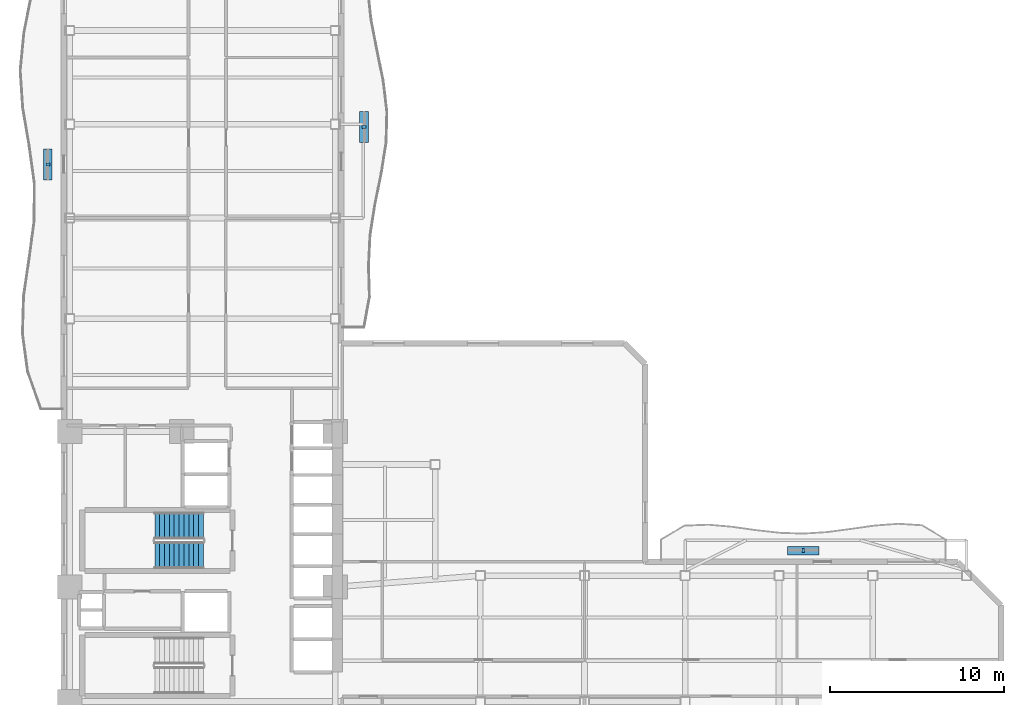
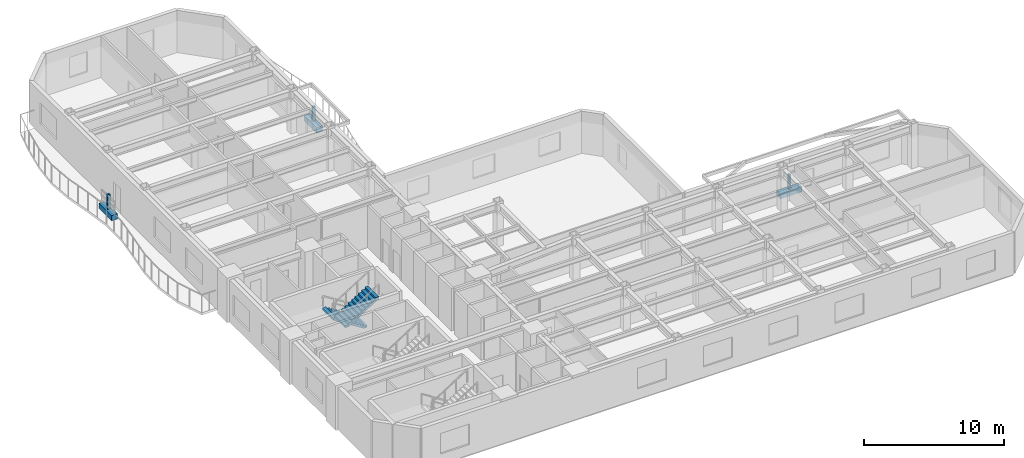
# One storey, part 7 of 10: 6 discrete accessories, 2 stair flights, 1 element without a shape of its own.
"""IFC4 building model written with IfcOpenShell, lengths in metres."""

from ifc_helpers import new_model, si_unit, direction, frame, origin, origin_2d, place, context, subcontext, project, spatial, polyline, rectangle, outline, extrude, material, type_object, element, aggregate, save


model = new_model("IFC4")

# Units and contexts
model_context = context("Model", 3, precision=1e-05, world=origin(), true_north=direction((0.0, 1.0)))
body_context = subcontext(model_context, "Body", "Model", "MODEL_VIEW")
ifc_project = project(units=[si_unit("LENGTHUNIT", "METRE"), si_unit("AREAUNIT", "SQUARE_METRE"), si_unit("VOLUMEUNIT", "CUBIC_METRE"), si_unit("PLANEANGLEUNIT", "RADIAN"), si_unit("MASSUNIT", "GRAM", prefix="KILO")], contexts=[model_context])

# Site, building, storey
site_placement = place(None, origin())
site = spatial("IfcSite", under=ifc_project, at=site_placement, CompositionType="ELEMENT")
building_placement = place(site_placement, origin())
building = spatial("IfcBuilding", under=site, at=building_placement, Name="Mawjaban Terraces University", CompositionType="ELEMENT")
storey_placement = place(building_placement, frame((0.0, 0.0, 34.89990234375)))
storey = spatial("IfcBuildingStorey", under=building, at=storey_placement, Name="L07", CompositionType="ELEMENT", Elevation=34.89990234375)

# Stair, stair flights
ifc_material_1 = material(Name="Concrete C40/50", Category="concrete")
stair_type = type_object("IfcStairType", Name="Stair_Core1550_H39", PredefinedType="HALF_TURN_STAIR", material=ifc_material_1)
stair_placement = place(storey_placement, origin())
stair = element("IfcStair", 1, at=stair_placement, inside=storey, type_object=stair_type, Name="L07 Core Exit Stair 2", PredefinedType="HALF_TURN_STAIR")
stair_flight_type = type_object("IfcStairFlightType", Name="Flight_Core1550_H39", PredefinedType="STRAIGHT", material=ifc_material_1)
stair_flight_1_placement = place(storey_placement, frame((30.050048828125, 18.074951171875, 0.0), z_axis=(0.0, 0.0, 1.0), x_axis=(-1.0, 0.0, 0.0)))
stair_flight_1 = element("IfcStairFlight", 2, at=stair_flight_1_placement, type_object=stair_flight_type, Name="ST-2 flight 1", NumberOfRisers=11, NumberOfTreads=10, PredefinedType="STRAIGHT", RiserHeight=0.177272727, TreadLength=0.28, context=body_context, shape_type="SweptSolid", body=[
    extrude(outline(polyline([(0.0, 0.0), (0.0, 0.17724609375), (0.280029296875, 0.17724609375), (0.280029296875, 0.3544921875), (0.56005859375, 0.3544921875), (0.56005859375, 0.53173828125), (0.840087890625, 0.53173828125), (0.840087890625, 0.708984375), (1.1201171875, 0.708984375), (1.1201171875, 0.886474609375), (1.39990234375, 0.886474609375), (1.39990234375, 1.063720703125), (1.679931640625, 1.063720703125), (1.679931640625, 1.240966796875), (1.9599609375, 1.240966796875), (1.9599609375, 1.418212890625), (2.239990234375, 1.418212890625), (2.239990234375, 1.595458984375), (2.52001953125, 1.595458984375), (2.52001953125, 1.772705078125), (2.800048828125, 1.772705078125), (2.800048828125, 1.949951171875), (2.800048828125, 1.59521484375), (0.2802734375, 0.0), (0.0, 0.0)])), frame((0.0, 0.77490234375, 0.0), z_axis=(0.0, -1.0, 0.0), x_axis=(1.0, 0.0, 0.0)), (0.0, 0.0, 1.0), 1.550048828125),
])
stair_flight_2_placement = place(storey_placement, frame((27.25, 16.375, 1.9501953125), z_axis=(0.0, 0.0, 1.0), x_axis=(1.0, 0.0, 0.0)))
stair_flight_2 = element("IfcStairFlight", 3, at=stair_flight_2_placement, type_object=stair_flight_type, Name="ST-2 flight 2", NumberOfRisers=11, NumberOfTreads=10, PredefinedType="STRAIGHT", RiserHeight=0.177272727, TreadLength=0.28, context=body_context, shape_type="SweptSolid", body=[
    extrude(outline(polyline([(0.0, 0.0), (0.0, 0.17724609375), (0.280029296875, 0.17724609375), (0.280029296875, 0.3544921875), (0.56005859375, 0.3544921875), (0.56005859375, 0.53173828125), (0.840087890625, 0.53173828125), (0.840087890625, 0.708984375), (1.1201171875, 0.708984375), (1.1201171875, 0.886474609375), (1.39990234375, 0.886474609375), (1.39990234375, 1.063720703125), (1.679931640625, 1.063720703125), (1.679931640625, 1.240966796875), (1.9599609375, 1.240966796875), (1.9599609375, 1.418212890625), (2.239990234375, 1.418212890625), (2.239990234375, 1.595458984375), (2.52001953125, 1.595458984375), (2.52001953125, 1.772705078125), (2.800048828125, 1.772705078125), (2.800048828125, 1.949951171875), (2.800048828125, 1.59521484375), (0.2802734375, 0.0), (0.0, 0.0)])), frame((0.0, 0.77490234375, 0.0), z_axis=(0.0, -1.0, 0.0), x_axis=(1.0, 0.0, 0.0)), (0.0, 0.0, 1.0), 1.550048828125),
])
aggregate(stair, [stair_flight_1, stair_flight_2])

# Discrete accessories
ifc_material_2 = material(Name="Stainless steel 316L", Category="steel")
discrete_accessory_type_1 = type_object("IfcDiscreteAccessoryType", Name="FacadeScreenBracket_Steel", PredefinedType="BRACKET", material=ifc_material_2)
for number, where, z_axis, x_axis, name in (
    (4, (21.093017578125, 38.883056640625, 0.419921875), (0.0, 0.0, 1.0), (0.0, 1.0, 0.0), "L07 Balcony Screen Support Bracket west"),
    (5, (64.60009765625, 16.64501953125, 0.419921875), (0.0, 0.0, 1.0), (1.0, 0.0, 0.0), "L07 Balcony Screen Support Bracket inner_north"),
    (6, (39.297119140625, 41.037109375, 0.419921875), (0.0, 0.0, 1.0), (0.0, 1.0, 0.0), "L07 Balcony Screen Support Bracket inner_east"),
):
    element("IfcDiscreteAccessory", number, at=place(storey_placement, frame(where, z_axis=z_axis, x_axis=x_axis)), inside=storey, type_object=discrete_accessory_type_1, Name=name, PredefinedType="BRACKET", context=body_context, shape_type="SweptSolid", body=[
        extrude(rectangle(XDim=0.159912109375, YDim=0.239990234375, at=origin_2d()), origin(), (0.0, 0.0, 1.0), 1.300048828125),
    ])
ifc_material_3 = material(Name="Precast architectural terracotta planter with engineered planting soil", Category="masonry")
discrete_accessory_type_2 = type_object("IfcDiscreteAccessoryType", Name="IrrigatedPlanterTrough_450", PredefinedType="USERDEFINED", material=ifc_material_3)
for number, where, z_axis, x_axis, name in (
    (7, (21.093017578125, 38.883056640625, -0.0048828125), (0.0, 0.0, 1.0), (0.0, 1.0, 0.0), "L07 Balcony Irrigated Planter west"),
    (8, (64.60009765625, 16.64501953125, -0.0048828125), (0.0, 0.0, 1.0), (1.0, 0.0, 0.0), "L07 Balcony Irrigated Planter inner_north"),
    (9, (39.297119140625, 41.037109375, -0.0048828125), (0.0, 0.0, 1.0), (0.0, 1.0, 0.0), "L07 Balcony Irrigated Planter inner_east"),
):
    element("IfcDiscreteAccessory", number, at=place(storey_placement, frame(where, z_axis=z_axis, x_axis=x_axis)), inside=storey, type_object=discrete_accessory_type_2, Name=name, ObjectType="PLANTER", PredefinedType="USERDEFINED", context=body_context, shape_type="SweptSolid", body=[
        extrude(rectangle(XDim=1.800048828125, YDim=0.5, at=origin_2d()), origin(), (0.0, 0.0, 1.0), 0.449951171875),
    ])

save(model, "model.ifc")
